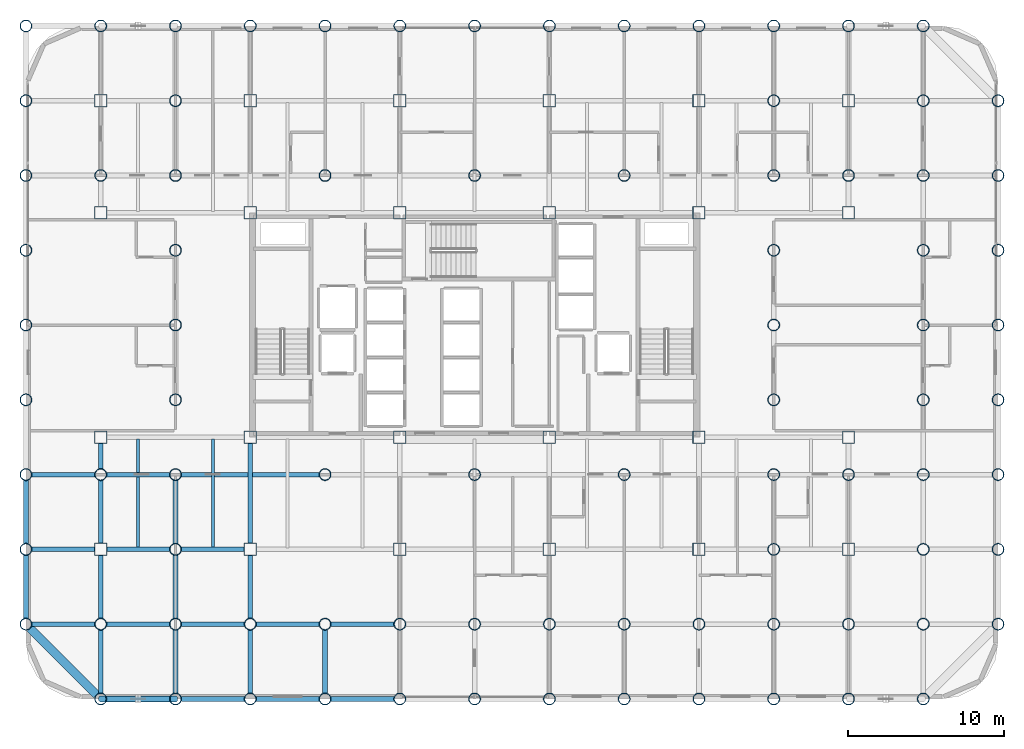
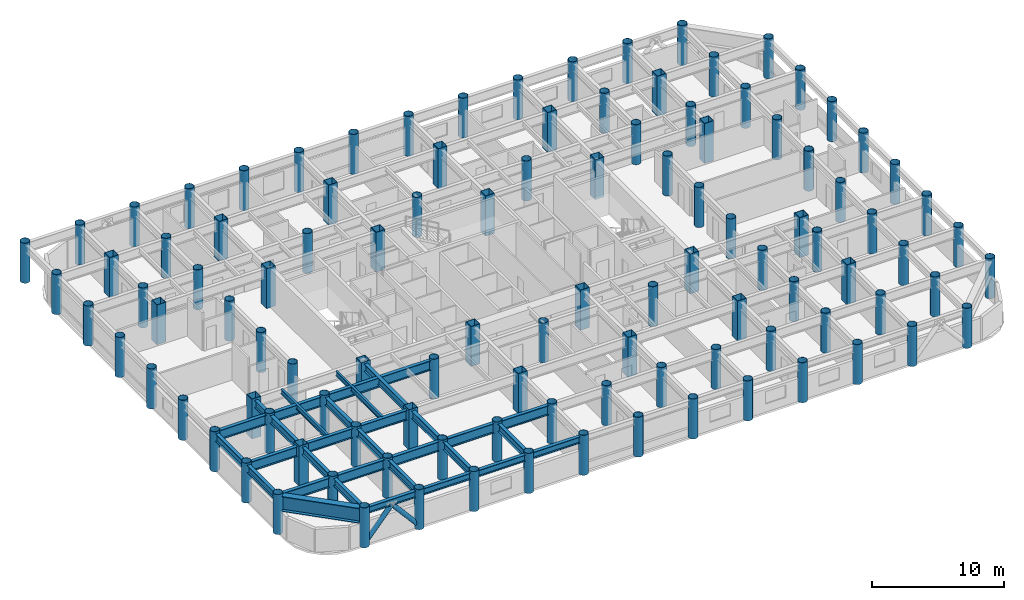
# One storey, part 1 of 20: 108 columns, 31 beams, 2 members.
"""IFC4 building model written with IfcOpenShell, lengths in metres."""

from ifc_helpers import new_model, si_unit, direction, frame, origin, origin_2d, place, context, subcontext, project, spatial, hollow_rectangle, hollow_circle, i_section, extrude, material, material_profile, profile_set, type_object, element, save


model = new_model("IFC4")

# Units and contexts
model_context = context("Model", 3, precision=1e-05, world=origin(), true_north=direction((0.0, 1.0)))
body_context = subcontext(model_context, "Body", "Model", "MODEL_VIEW")
ifc_project = project(units=[si_unit("LENGTHUNIT", "METRE"), si_unit("AREAUNIT", "SQUARE_METRE"), si_unit("VOLUMEUNIT", "CUBIC_METRE"), si_unit("PLANEANGLEUNIT", "RADIAN"), si_unit("MASSUNIT", "GRAM", prefix="KILO")], contexts=[model_context])

# Site, building, storey
site_placement = place(None, origin())
site = spatial("IfcSite", under=ifc_project, at=site_placement, CompositionType="ELEMENT")
building_placement = place(site_placement, origin())
building = spatial("IfcBuilding", under=site, at=building_placement, Name="Kallvorn Hotel Tower", CompositionType="ELEMENT")
storey_placement = place(building_placement, frame((0.0, 0.0, 74.39990234375)))
storey = spatial("IfcBuildingStorey", under=building, at=storey_placement, Name="L17", CompositionType="ELEMENT", Elevation=74.39990234375)

# Columns
ifc_material_1 = material(Name="Structural steel S355J2H", Category="steel")
ifc_material_profile_1 = material_profile(ifc_material_1, hollow_circle(Radius=0.381103515625, WallThickness=0.031982421875, at=origin_2d()), Name="CHS 762x32")
ifc_profile_set_1 = profile_set([ifc_material_profile_1], Name="Structural steel S355J2H")
column_type_1 = type_object("IfcColumnType", Name="COL_CHS_762", PredefinedType="COLUMN", material=ifc_profile_set_1)
for number, where, z_axis, x_axis, name in (
    (1, (-28.800048828125, -19.199951171875, 0.0), (0.0, 0.0, 1.0), (1.0, 0.0, 0.0), "L17 Exoskeleton Column EC01"),
    (2, (-28.800048828125, -14.39990234375, 0.0), (0.0, 0.0, 1.0), (1.0, 0.0, 0.0), "L17 Exoskeleton Column EC02"),
    (3, (-28.800048828125, -9.60009765625, 0.0), (0.0, 0.0, 1.0), (1.0, 0.0, 0.0), "L17 Exoskeleton Column EC03"),
    (4, (-28.800048828125, -4.800048828125, 0.0), (0.0, 0.0, 1.0), (1.0, 0.0, 0.0), "L17 Exoskeleton Column EC04"),
    (5, (-28.800048828125, 0.0, 0.0), (0.0, 0.0, 1.0), (1.0, 0.0, 0.0), "L17 Exoskeleton Column EC05"),
    (6, (-28.800048828125, 4.800048828125, 0.0), (0.0, 0.0, 1.0), (1.0, 0.0, 0.0), "L17 Exoskeleton Column EC06"),
    (7, (-28.800048828125, 9.60009765625, 0.0), (0.0, 0.0, 1.0), (1.0, 0.0, 0.0), "L17 Exoskeleton Column EC07"),
    (8, (-28.800048828125, 14.39990234375, 0.0), (0.0, 0.0, 1.0), (1.0, 0.0, 0.0), "L17 Exoskeleton Column EC08"),
    (9, (-28.800048828125, 19.199951171875, 0.0), (0.0, 0.0, 1.0), (1.0, 0.0, 0.0), "L17 Exoskeleton Column EC09"),
    (10, (-24.0, -24.0, 0.0), (0.0, 0.0, 1.0), (1.0, 0.0, 0.0), "L17 Exoskeleton Column EC10"),
    (11, (-24.0, -19.199951171875, 0.0), (0.0, 0.0, 1.0), (1.0, 0.0, 0.0), "L17 Exoskeleton Column EC11"),
    (12, (-24.0, -9.60009765625, 0.0), (0.0, 0.0, 1.0), (1.0, 0.0, 0.0), "L17 Exoskeleton Column EC12"),
    (13, (-24.0, 9.60009765625, 0.0), (0.0, 0.0, 1.0), (1.0, 0.0, 0.0), "L17 Exoskeleton Column EC13"),
    (14, (-24.0, 19.199951171875, 0.0), (0.0, 0.0, 1.0), (1.0, 0.0, 0.0), "L17 Exoskeleton Column EC14"),
    (15, (-19.199951171875, -24.0, 0.0), (0.0, 0.0, 1.0), (1.0, 0.0, 0.0), "L17 Exoskeleton Column EC15"),
    (16, (-19.199951171875, -19.199951171875, 0.0), (0.0, 0.0, 1.0), (1.0, 0.0, 0.0), "L17 Exoskeleton Column EC16"),
    (17, (-19.199951171875, -14.39990234375, 0.0), (0.0, 0.0, 1.0), (1.0, 0.0, 0.0), "L17 Exoskeleton Column EC17"),
    (18, (-19.199951171875, -9.60009765625, 0.0), (0.0, 0.0, 1.0), (1.0, 0.0, 0.0), "L17 Exoskeleton Column EC18"),
    (19, (-19.199951171875, -4.800048828125, 0.0), (0.0, 0.0, 1.0), (1.0, 0.0, 0.0), "L17 Exoskeleton Column EC19"),
    (20, (-19.199951171875, 0.0, 0.0), (0.0, 0.0, 1.0), (1.0, 0.0, 0.0), "L17 Exoskeleton Column EC20"),
    (21, (-19.199951171875, 4.800048828125, 0.0), (0.0, 0.0, 1.0), (1.0, 0.0, 0.0), "L17 Exoskeleton Column EC21"),
    (22, (-19.199951171875, 9.60009765625, 0.0), (0.0, 0.0, 1.0), (1.0, 0.0, 0.0), "L17 Exoskeleton Column EC22"),
    (23, (-19.199951171875, 14.39990234375, 0.0), (0.0, 0.0, 1.0), (1.0, 0.0, 0.0), "L17 Exoskeleton Column EC23"),
    (24, (-19.199951171875, 19.199951171875, 0.0), (0.0, 0.0, 1.0), (1.0, 0.0, 0.0), "L17 Exoskeleton Column EC24"),
    (25, (-14.39990234375, -24.0, 0.0), (0.0, 0.0, 1.0), (1.0, 0.0, 0.0), "L17 Exoskeleton Column EC25"),
    (26, (-14.39990234375, -19.199951171875, 0.0), (0.0, 0.0, 1.0), (1.0, 0.0, 0.0), "L17 Exoskeleton Column EC26"),
    (27, (-14.39990234375, 19.199951171875, 0.0), (0.0, 0.0, 1.0), (1.0, 0.0, 0.0), "L17 Exoskeleton Column EC27"),
    (28, (-9.60009765625, -24.0, 0.0), (0.0, 0.0, 1.0), (1.0, 0.0, 0.0), "L17 Exoskeleton Column EC28"),
    (29, (-9.60009765625, -19.199951171875, 0.0), (0.0, 0.0, 1.0), (1.0, 0.0, 0.0), "L17 Exoskeleton Column EC29"),
    (30, (-9.60009765625, -9.60009765625, 0.0), (0.0, 0.0, 1.0), (1.0, 0.0, 0.0), "L17 Exoskeleton Column EC30"),
    (31, (-9.60009765625, 9.60009765625, 0.0), (0.0, 0.0, 1.0), (1.0, 0.0, 0.0), "L17 Exoskeleton Column EC31"),
    (32, (-9.60009765625, 19.199951171875, 0.0), (0.0, 0.0, 1.0), (1.0, 0.0, 0.0), "L17 Exoskeleton Column EC32"),
    (33, (-4.800048828125, -24.0, 0.0), (0.0, 0.0, 1.0), (1.0, 0.0, 0.0), "L17 Exoskeleton Column EC33"),
    (34, (-4.800048828125, -19.199951171875, 0.0), (0.0, 0.0, 1.0), (1.0, 0.0, 0.0), "L17 Exoskeleton Column EC34"),
    (35, (-4.800048828125, 19.199951171875, 0.0), (0.0, 0.0, 1.0), (1.0, 0.0, 0.0), "L17 Exoskeleton Column EC35"),
    (36, (0.0, -24.0, 0.0), (0.0, 0.0, 1.0), (1.0, 0.0, 0.0), "L17 Exoskeleton Column EC36"),
    (37, (0.0, -19.199951171875, 0.0), (0.0, 0.0, 1.0), (1.0, 0.0, 0.0), "L17 Exoskeleton Column EC37"),
    (38, (0.0, -9.60009765625, 0.0), (0.0, 0.0, 1.0), (1.0, 0.0, 0.0), "L17 Exoskeleton Column EC38"),
    (39, (0.0, 9.60009765625, 0.0), (0.0, 0.0, 1.0), (1.0, 0.0, 0.0), "L17 Exoskeleton Column EC39"),
    (40, (0.0, 19.199951171875, 0.0), (0.0, 0.0, 1.0), (1.0, 0.0, 0.0), "L17 Exoskeleton Column EC40"),
    (41, (4.800048828125, -24.0, 0.0), (0.0, 0.0, 1.0), (1.0, 0.0, 0.0), "L17 Exoskeleton Column EC41"),
    (42, (4.800048828125, -19.199951171875, 0.0), (0.0, 0.0, 1.0), (1.0, 0.0, 0.0), "L17 Exoskeleton Column EC42"),
    (43, (4.800048828125, 19.199951171875, 0.0), (0.0, 0.0, 1.0), (1.0, 0.0, 0.0), "L17 Exoskeleton Column EC43"),
    (44, (9.60009765625, -24.0, 0.0), (0.0, 0.0, 1.0), (1.0, 0.0, 0.0), "L17 Exoskeleton Column EC44"),
    (45, (9.60009765625, -19.199951171875, 0.0), (0.0, 0.0, 1.0), (1.0, 0.0, 0.0), "L17 Exoskeleton Column EC45"),
    (46, (9.60009765625, -9.60009765625, 0.0), (0.0, 0.0, 1.0), (1.0, 0.0, 0.0), "L17 Exoskeleton Column EC46"),
    (47, (9.60009765625, 9.60009765625, 0.0), (0.0, 0.0, 1.0), (1.0, 0.0, 0.0), "L17 Exoskeleton Column EC47"),
    (48, (9.60009765625, 19.199951171875, 0.0), (0.0, 0.0, 1.0), (1.0, 0.0, 0.0), "L17 Exoskeleton Column EC48"),
    (49, (14.39990234375, -24.0, 0.0), (0.0, 0.0, 1.0), (1.0, 0.0, 0.0), "L17 Exoskeleton Column EC49"),
    (50, (14.39990234375, -19.199951171875, 0.0), (0.0, 0.0, 1.0), (1.0, 0.0, 0.0), "L17 Exoskeleton Column EC50"),
    (51, (14.39990234375, 19.199951171875, 0.0), (0.0, 0.0, 1.0), (1.0, 0.0, 0.0), "L17 Exoskeleton Column EC51"),
    (52, (19.199951171875, -24.0, 0.0), (0.0, 0.0, 1.0), (1.0, 0.0, 0.0), "L17 Exoskeleton Column EC52"),
    (53, (19.199951171875, -19.199951171875, 0.0), (0.0, 0.0, 1.0), (1.0, 0.0, 0.0), "L17 Exoskeleton Column EC53"),
    (54, (19.199951171875, -14.39990234375, 0.0), (0.0, 0.0, 1.0), (1.0, 0.0, 0.0), "L17 Exoskeleton Column EC54"),
    (55, (19.199951171875, -9.60009765625, 0.0), (0.0, 0.0, 1.0), (1.0, 0.0, 0.0), "L17 Exoskeleton Column EC55"),
    (56, (19.199951171875, -4.800048828125, 0.0), (0.0, 0.0, 1.0), (1.0, 0.0, 0.0), "L17 Exoskeleton Column EC56"),
    (57, (19.199951171875, 0.0, 0.0), (0.0, 0.0, 1.0), (1.0, 0.0, 0.0), "L17 Exoskeleton Column EC57"),
    (58, (19.199951171875, 4.800048828125, 0.0), (0.0, 0.0, 1.0), (1.0, 0.0, 0.0), "L17 Exoskeleton Column EC58"),
    (59, (19.199951171875, 9.60009765625, 0.0), (0.0, 0.0, 1.0), (1.0, 0.0, 0.0), "L17 Exoskeleton Column EC59"),
    (60, (19.199951171875, 14.39990234375, 0.0), (0.0, 0.0, 1.0), (1.0, 0.0, 0.0), "L17 Exoskeleton Column EC60"),
    (61, (19.199951171875, 19.199951171875, 0.0), (0.0, 0.0, 1.0), (1.0, 0.0, 0.0), "L17 Exoskeleton Column EC61"),
    (62, (24.0, -24.0, 0.0), (0.0, 0.0, 1.0), (1.0, 0.0, 0.0), "L17 Exoskeleton Column EC62"),
    (63, (24.0, -19.199951171875, 0.0), (0.0, 0.0, 1.0), (1.0, 0.0, 0.0), "L17 Exoskeleton Column EC63"),
    (64, (24.0, -9.60009765625, 0.0), (0.0, 0.0, 1.0), (1.0, 0.0, 0.0), "L17 Exoskeleton Column EC64"),
    (65, (24.0, 9.60009765625, 0.0), (0.0, 0.0, 1.0), (1.0, 0.0, 0.0), "L17 Exoskeleton Column EC65"),
    (66, (24.0, 19.199951171875, 0.0), (0.0, 0.0, 1.0), (1.0, 0.0, 0.0), "L17 Exoskeleton Column EC66"),
    (67, (28.800048828125, -24.0, 0.0), (0.0, 0.0, 1.0), (1.0, 0.0, 0.0), "L17 Exoskeleton Column EC67"),
    (68, (28.800048828125, -19.199951171875, 0.0), (0.0, 0.0, 1.0), (1.0, 0.0, 0.0), "L17 Exoskeleton Column EC68"),
    (69, (28.800048828125, -14.39990234375, 0.0), (0.0, 0.0, 1.0), (1.0, 0.0, 0.0), "L17 Exoskeleton Column EC69"),
    (70, (28.800048828125, -9.60009765625, 0.0), (0.0, 0.0, 1.0), (1.0, 0.0, 0.0), "L17 Exoskeleton Column EC70"),
    (71, (28.800048828125, -4.800048828125, 0.0), (0.0, 0.0, 1.0), (1.0, 0.0, 0.0), "L17 Exoskeleton Column EC71"),
    (72, (28.800048828125, 0.0, 0.0), (0.0, 0.0, 1.0), (1.0, 0.0, 0.0), "L17 Exoskeleton Column EC72"),
    (73, (28.800048828125, 4.800048828125, 0.0), (0.0, 0.0, 1.0), (1.0, 0.0, 0.0), "L17 Exoskeleton Column EC73"),
    (74, (28.800048828125, 9.60009765625, 0.0), (0.0, 0.0, 1.0), (1.0, 0.0, 0.0), "L17 Exoskeleton Column EC74"),
    (75, (28.800048828125, 14.39990234375, 0.0), (0.0, 0.0, 1.0), (1.0, 0.0, 0.0), "L17 Exoskeleton Column EC75"),
    (76, (28.800048828125, 19.199951171875, 0.0), (0.0, 0.0, 1.0), (1.0, 0.0, 0.0), "L17 Exoskeleton Column EC76"),
    (77, (33.60009765625, -19.199951171875, 0.0), (0.0, 0.0, 1.0), (1.0, 0.0, 0.0), "L17 Exoskeleton Column EC77"),
    (78, (33.60009765625, -14.39990234375, 0.0), (0.0, 0.0, 1.0), (1.0, 0.0, 0.0), "L17 Exoskeleton Column EC78"),
    (79, (33.60009765625, -9.60009765625, 0.0), (0.0, 0.0, 1.0), (1.0, 0.0, 0.0), "L17 Exoskeleton Column EC79"),
    (80, (33.60009765625, -4.800048828125, 0.0), (0.0, 0.0, 1.0), (1.0, 0.0, 0.0), "L17 Exoskeleton Column EC80"),
    (81, (33.60009765625, 0.0, 0.0), (0.0, 0.0, 1.0), (1.0, 0.0, 0.0), "L17 Exoskeleton Column EC81"),
    (82, (33.60009765625, 4.800048828125, 0.0), (0.0, 0.0, 1.0), (1.0, 0.0, 0.0), "L17 Exoskeleton Column EC82"),
    (83, (33.60009765625, 9.60009765625, 0.0), (0.0, 0.0, 1.0), (1.0, 0.0, 0.0), "L17 Exoskeleton Column EC83"),
    (84, (33.60009765625, 14.39990234375, 0.0), (0.0, 0.0, 1.0), (1.0, 0.0, 0.0), "L17 Exoskeleton Column EC84"),
):
    element("IfcColumn", number, at=place(storey_placement, frame(where, z_axis=z_axis, x_axis=x_axis)), inside=storey, type_object=column_type_1, Name=name, PredefinedType="COLUMN", context=body_context, shape_type="SweptSolid", body=[
        extrude(hollow_circle(Radius=0.381103515625, WallThickness=0.031982421875, at=origin_2d()), origin(), (0.0, 0.0, 1.0), 3.7001953125),
    ])
ifc_material_2 = material(Name="Structural steel S355J2H", Category="steel")
ifc_material_profile_2 = material_profile(ifc_material_2, hollow_rectangle(XDim=0.800048828125, YDim=0.800048828125, WallThickness=0.035888671875, at=origin_2d()), Name="RHS 800x800x36")
ifc_profile_set_2 = profile_set([ifc_material_profile_2], Name="Structural steel S355J2H")
column_type_2 = type_object("IfcColumnType", Name="COL_RHS_800", PredefinedType="COLUMN", material=ifc_profile_set_2)
for number, where, z_axis, x_axis, name in (
    (85, (-24.0, -14.39990234375, 0.0), (0.0, 0.0, 1.0), (1.0, 0.0, 0.0), "L17 Inner Column IC01"),
    (86, (-24.0, -7.199951171875, 0.0), (0.0, 0.0, 1.0), (1.0, 0.0, 0.0), "L17 Inner Column IC02"),
    (87, (-24.0, 7.199951171875, 0.0), (0.0, 0.0, 1.0), (1.0, 0.0, 0.0), "L17 Inner Column IC03"),
    (88, (-24.0, 14.39990234375, 0.0), (0.0, 0.0, 1.0), (1.0, 0.0, 0.0), "L17 Inner Column IC04"),
    (89, (-14.39990234375, -14.39990234375, 0.0), (0.0, 0.0, 1.0), (1.0, 0.0, 0.0), "L17 Inner Column IC05"),
    (90, (-14.39990234375, -7.199951171875, 0.0), (0.0, 0.0, 1.0), (1.0, 0.0, 0.0), "L17 Inner Column IC06"),
    (91, (-14.39990234375, 7.199951171875, 0.0), (0.0, 0.0, 1.0), (1.0, 0.0, 0.0), "L17 Inner Column IC07"),
    (92, (-14.39990234375, 14.39990234375, 0.0), (0.0, 0.0, 1.0), (1.0, 0.0, 0.0), "L17 Inner Column IC08"),
    (93, (-4.800048828125, -14.39990234375, 0.0), (0.0, 0.0, 1.0), (1.0, 0.0, 0.0), "L17 Inner Column IC09"),
    (94, (-4.800048828125, -7.199951171875, 0.0), (0.0, 0.0, 1.0), (1.0, 0.0, 0.0), "L17 Inner Column IC10"),
    (95, (-4.800048828125, 7.199951171875, 0.0), (0.0, 0.0, 1.0), (1.0, 0.0, 0.0), "L17 Inner Column IC11"),
    (96, (-4.800048828125, 14.39990234375, 0.0), (0.0, 0.0, 1.0), (1.0, 0.0, 0.0), "L17 Inner Column IC12"),
    (97, (4.800048828125, -14.39990234375, 0.0), (0.0, 0.0, 1.0), (1.0, 0.0, 0.0), "L17 Inner Column IC13"),
    (98, (4.800048828125, -7.199951171875, 0.0), (0.0, 0.0, 1.0), (1.0, 0.0, 0.0), "L17 Inner Column IC14"),
    (99, (4.800048828125, 7.199951171875, 0.0), (0.0, 0.0, 1.0), (1.0, 0.0, 0.0), "L17 Inner Column IC15"),
    (100, (4.800048828125, 14.39990234375, 0.0), (0.0, 0.0, 1.0), (1.0, 0.0, 0.0), "L17 Inner Column IC16"),
    (101, (14.39990234375, -14.39990234375, 0.0), (0.0, 0.0, 1.0), (1.0, 0.0, 0.0), "L17 Inner Column IC17"),
    (102, (14.39990234375, -7.199951171875, 0.0), (0.0, 0.0, 1.0), (1.0, 0.0, 0.0), "L17 Inner Column IC18"),
    (103, (14.39990234375, 7.199951171875, 0.0), (0.0, 0.0, 1.0), (1.0, 0.0, 0.0), "L17 Inner Column IC19"),
    (104, (14.39990234375, 14.39990234375, 0.0), (0.0, 0.0, 1.0), (1.0, 0.0, 0.0), "L17 Inner Column IC20"),
    (105, (24.0, -14.39990234375, 0.0), (0.0, 0.0, 1.0), (1.0, 0.0, 0.0), "L17 Inner Column IC21"),
    (106, (24.0, -7.199951171875, 0.0), (0.0, 0.0, 1.0), (1.0, 0.0, 0.0), "L17 Inner Column IC22"),
    (107, (24.0, 7.199951171875, 0.0), (0.0, 0.0, 1.0), (1.0, 0.0, 0.0), "L17 Inner Column IC23"),
    (108, (24.0, 14.39990234375, 0.0), (0.0, 0.0, 1.0), (1.0, 0.0, 0.0), "L17 Inner Column IC24"),
):
    element("IfcColumn", number, at=place(storey_placement, frame(where, z_axis=z_axis, x_axis=x_axis)), inside=storey, type_object=column_type_2, Name=name, PredefinedType="COLUMN", context=body_context, shape_type="SweptSolid", body=[
        extrude(hollow_rectangle(XDim=0.800048828125, YDim=0.800048828125, WallThickness=0.035888671875, at=origin_2d()), origin(), (0.0, 0.0, 1.0), 3.7001953125),
    ])

# Beams
ifc_material_3 = material(Name="Structural steel S355JR", Category="steel")
ifc_material_profile_3 = material_profile(ifc_material_3, i_section(OverallWidth=0.300048828125, OverallDepth=0.60009765625, WebThickness=0.015380859375, FlangeThickness=0.030029296875, at=origin_2d()), Name="HE 600 B")
ifc_profile_set_3 = profile_set([ifc_material_profile_3], Name="Structural steel S355JR")
beam_type_1 = type_object("IfcBeamType", Name="BM_HE600B", PredefinedType="SPANDREL", material=ifc_profile_set_3)
beam_1_placement = place(storey_placement, frame((-23.62890625, -24.0, 3.22021484375), z_axis=(1.0, 0.0, 0.0), x_axis=(0.0, 1.0, 0.0)))
element("IfcBeam", 109, at=beam_1_placement, inside=storey, type_object=beam_type_1, Name="L18 Perimeter Spandrel 151", PredefinedType="SPANDREL", context=body_context, shape_type="SweptSolid", body=[
    extrude(i_section(OverallWidth=0.300048828125, OverallDepth=0.60009765625, WebThickness=0.015380859375, FlangeThickness=0.030029296875, at=origin_2d()), origin(), (0.0, 0.0, 1.0), 4.057861328125),
])
for number, where, z_axis, x_axis, name in (
    (110, (-18.8291015625, -24.0, 3.22021484375), (1.0, 0.0, 0.0), (0.0, 1.0, 0.0), "L18 Perimeter Spandrel 152"),
    (111, (-14.029052734375, -24.0, 3.22021484375), (1.0, 0.0, 0.0), (0.0, 1.0, 0.0), "L18 Perimeter Spandrel 153"),
    (112, (-9.22900390625, -24.0, 3.22021484375), (1.0, 0.0, 0.0), (0.0, 1.0, 0.0), "L18 Perimeter Spandrel 154"),
):
    element("IfcBeam", number, at=place(storey_placement, frame(where, z_axis=z_axis, x_axis=x_axis)), inside=storey, type_object=beam_type_1, Name=name, PredefinedType="SPANDREL", context=body_context, shape_type="SweptSolid", body=[
        extrude(i_section(OverallWidth=0.300048828125, OverallDepth=0.60009765625, WebThickness=0.015380859375, FlangeThickness=0.030029296875, at=origin_2d()), origin(), (0.0, 0.0, 1.0), 4.05810546875),
    ])
ifc_material_4 = material(Name="Structural steel S355JR", Category="steel")
ifc_material_profile_4 = material_profile(ifc_material_4, i_section(OverallWidth=0.300048828125, OverallDepth=0.699951171875, WebThickness=0.01708984375, FlangeThickness=0.031982421875, at=origin_2d()), Name="HE 700 B")
ifc_profile_set_4 = profile_set([ifc_material_profile_4], Name="Structural steel S355JR")
beam_type_2 = type_object("IfcBeamType", Name="BM_HE700B", PredefinedType="BEAM", material=ifc_profile_set_4)
for number, where, z_axis, x_axis, name in (
    (113, (-28.800048828125, -18.843994140625, 3.170166015625), (0.0, 1.0, 0.0), (-1.0, 0.0, 0.0), "L18 Primary Y-Girder 73"),
    (114, (-28.800048828125, -14.0439453125, 3.170166015625), (0.0, 1.0, 0.0), (-1.0, 0.0, 0.0), "L18 Primary Y-Girder 74"),
):
    element("IfcBeam", number, at=place(storey_placement, frame(where, z_axis=z_axis, x_axis=x_axis)), inside=storey, type_object=beam_type_2, Name=name, PredefinedType="BEAM", context=body_context, shape_type="SweptSolid", body=[
        extrude(i_section(OverallWidth=0.300048828125, OverallDepth=0.699951171875, WebThickness=0.01708984375, FlangeThickness=0.031982421875, at=origin_2d()), origin(), (0.0, 0.0, 1.0), 4.087890625),
    ])
beam_2_placement = place(storey_placement, frame((-24.0, -23.64404296875, 3.170166015625), z_axis=(0.0, 1.0, 0.0), x_axis=(-1.0, 0.0, 0.0)))
element("IfcBeam", 115, at=beam_2_placement, inside=storey, type_object=beam_type_2, Name="L18 Primary Y-Girder 81", PredefinedType="BEAM", context=body_context, shape_type="SweptSolid", body=[
    extrude(i_section(OverallWidth=0.300048828125, OverallDepth=0.699951171875, WebThickness=0.01708984375, FlangeThickness=0.031982421875, at=origin_2d()), origin(), (0.0, 0.0, 1.0), 4.088134765625),
])
beam_3_placement = place(storey_placement, frame((-24.0, -18.843994140625, 3.170166015625), z_axis=(0.0, 1.0, 0.0), x_axis=(-1.0, 0.0, 0.0)))
element("IfcBeam", 116, at=beam_3_placement, inside=storey, type_object=beam_type_2, Name="L18 Primary Y-Girder 82", PredefinedType="BEAM", context=body_context, shape_type="SweptSolid", body=[
    extrude(i_section(OverallWidth=0.300048828125, OverallDepth=0.699951171875, WebThickness=0.01708984375, FlangeThickness=0.031982421875, at=origin_2d()), origin(), (0.0, 0.0, 1.0), 4.069091796875),
])
beam_4_placement = place(storey_placement, frame((-24.0, -14.02490234375, 3.170166015625), z_axis=(0.0, 1.0, 0.0), x_axis=(-1.0, 0.0, 0.0)))
element("IfcBeam", 117, at=beam_4_placement, inside=storey, type_object=beam_type_2, Name="L18 Primary Y-Girder 83", PredefinedType="BEAM", context=body_context, shape_type="SweptSolid", body=[
    extrude(i_section(OverallWidth=0.300048828125, OverallDepth=0.699951171875, WebThickness=0.01708984375, FlangeThickness=0.031982421875, at=origin_2d()), origin(), (0.0, 0.0, 1.0), 4.06884765625),
])
beam_5_placement = place(storey_placement, frame((-24.0, -9.243896484375, 3.170166015625), z_axis=(0.0, 1.0, 0.0), x_axis=(-1.0, 0.0, 0.0)))
element("IfcBeam", 118, at=beam_5_placement, inside=storey, type_object=beam_type_2, Name="L18 Primary Y-Girder 84", PredefinedType="BEAM", context=body_context, shape_type="SweptSolid", body=[
    extrude(i_section(OverallWidth=0.300048828125, OverallDepth=0.699951171875, WebThickness=0.01708984375, FlangeThickness=0.031982421875, at=origin_2d()), origin(), (0.0, 0.0, 1.0), 1.6689453125),
])
beam_6_placement = place(storey_placement, frame((-19.199951171875, -23.64404296875, 3.170166015625), z_axis=(0.0, 1.0, 0.0), x_axis=(-1.0, 0.0, 0.0)))
element("IfcBeam", 119, at=beam_6_placement, inside=storey, type_object=beam_type_2, Name="L18 Primary Y-Girder 88", PredefinedType="BEAM", context=body_context, shape_type="SweptSolid", body=[
    extrude(i_section(OverallWidth=0.300048828125, OverallDepth=0.699951171875, WebThickness=0.01708984375, FlangeThickness=0.031982421875, at=origin_2d()), origin(), (0.0, 0.0, 1.0), 4.088134765625),
])
for number, where, z_axis, x_axis, name in (
    (120, (-19.199951171875, -18.843994140625, 3.170166015625), (0.0, 1.0, 0.0), (-1.0, 0.0, 0.0), "L18 Primary Y-Girder 89"),
    (121, (-19.199951171875, -14.0439453125, 3.170166015625), (0.0, 1.0, 0.0), (-1.0, 0.0, 0.0), "L18 Primary Y-Girder 90"),
):
    element("IfcBeam", number, at=place(storey_placement, frame(where, z_axis=z_axis, x_axis=x_axis)), inside=storey, type_object=beam_type_2, Name=name, PredefinedType="BEAM", context=body_context, shape_type="SweptSolid", body=[
        extrude(i_section(OverallWidth=0.300048828125, OverallDepth=0.699951171875, WebThickness=0.01708984375, FlangeThickness=0.031982421875, at=origin_2d()), origin(), (0.0, 0.0, 1.0), 4.087890625),
    ])
beam_7_placement = place(storey_placement, frame((-14.39990234375, -23.64404296875, 3.170166015625), z_axis=(0.0, 1.0, 0.0), x_axis=(-1.0, 0.0, 0.0)))
element("IfcBeam", 122, at=beam_7_placement, inside=storey, type_object=beam_type_2, Name="L18 Primary Y-Girder 97", PredefinedType="BEAM", context=body_context, shape_type="SweptSolid", body=[
    extrude(i_section(OverallWidth=0.300048828125, OverallDepth=0.699951171875, WebThickness=0.01708984375, FlangeThickness=0.031982421875, at=origin_2d()), origin(), (0.0, 0.0, 1.0), 4.088134765625),
])
beam_8_placement = place(storey_placement, frame((-14.39990234375, -18.843994140625, 3.170166015625), z_axis=(0.0, 1.0, 0.0), x_axis=(-1.0, 0.0, 0.0)))
element("IfcBeam", 123, at=beam_8_placement, inside=storey, type_object=beam_type_2, Name="L18 Primary Y-Girder 98", PredefinedType="BEAM", context=body_context, shape_type="SweptSolid", body=[
    extrude(i_section(OverallWidth=0.300048828125, OverallDepth=0.699951171875, WebThickness=0.01708984375, FlangeThickness=0.031982421875, at=origin_2d()), origin(), (0.0, 0.0, 1.0), 4.069091796875),
])
beam_9_placement = place(storey_placement, frame((-14.39990234375, -14.02490234375, 3.170166015625), z_axis=(0.0, 1.0, 0.0), x_axis=(-1.0, 0.0, 0.0)))
element("IfcBeam", 124, at=beam_9_placement, inside=storey, type_object=beam_type_2, Name="L18 Primary Y-Girder 99", PredefinedType="BEAM", context=body_context, shape_type="SweptSolid", body=[
    extrude(i_section(OverallWidth=0.300048828125, OverallDepth=0.699951171875, WebThickness=0.01708984375, FlangeThickness=0.031982421875, at=origin_2d()), origin(), (0.0, 0.0, 1.0), 6.449951171875),
])
beam_10_placement = place(storey_placement, frame((-9.60009765625, -23.64404296875, 3.170166015625), z_axis=(0.0, 1.0, 0.0), x_axis=(-1.0, 0.0, 0.0)))
element("IfcBeam", 125, at=beam_10_placement, inside=storey, type_object=beam_type_2, Name="L18 Primary Y-Girder 102", PredefinedType="BEAM", context=body_context, shape_type="SweptSolid", body=[
    extrude(i_section(OverallWidth=0.300048828125, OverallDepth=0.699951171875, WebThickness=0.01708984375, FlangeThickness=0.031982421875, at=origin_2d()), origin(), (0.0, 0.0, 1.0), 4.088134765625),
])
ifc_material_5 = material(Name="Structural steel S355JR", Category="steel")
ifc_material_profile_5 = material_profile(ifc_material_5, i_section(OverallWidth=0.300048828125, OverallDepth=0.89990234375, WebThickness=0.0185546875, FlangeThickness=0.034912109375, at=origin_2d()), Name="HE 900 B")
ifc_profile_set_5 = profile_set([ifc_material_profile_5], Name="Structural steel S355JR")
beam_type_3 = type_object("IfcBeamType", Name="BM_HE900B", PredefinedType="BEAM", material=ifc_profile_set_5)
for number, where, z_axis, x_axis, name in (
    (126, (-28.444091796875, -19.199951171875, 3.070068359375), (1.0, 0.0, 0.0), (0.0, 1.0, 0.0), "L18 Primary X-Girder 01"),
    (127, (-23.64404296875, -19.199951171875, 3.070068359375), (1.0, 0.0, 0.0), (0.0, 1.0, 0.0), "L18 Primary X-Girder 02"),
):
    element("IfcBeam", number, at=place(storey_placement, frame(where, z_axis=z_axis, x_axis=x_axis)), inside=storey, type_object=beam_type_3, Name=name, PredefinedType="BEAM", context=body_context, shape_type="SweptSolid", body=[
        extrude(i_section(OverallWidth=0.300048828125, OverallDepth=0.89990234375, WebThickness=0.0185546875, FlangeThickness=0.034912109375, at=origin_2d()), origin(), (0.0, 0.0, 1.0), 4.088134765625),
    ])
for number, where, z_axis, x_axis, name in (
    (128, (-18.843994140625, -19.199951171875, 3.070068359375), (1.0, 0.0, 0.0), (0.0, 1.0, 0.0), "L18 Primary X-Girder 03"),
    (129, (-14.0439453125, -19.199951171875, 3.070068359375), (1.0, 0.0, 0.0), (0.0, 1.0, 0.0), "L18 Primary X-Girder 04"),
    (130, (-9.243896484375, -19.199951171875, 3.070068359375), (1.0, 0.0, 0.0), (0.0, 1.0, 0.0), "L18 Primary X-Girder 05"),
):
    element("IfcBeam", number, at=place(storey_placement, frame(where, z_axis=z_axis, x_axis=x_axis)), inside=storey, type_object=beam_type_3, Name=name, PredefinedType="BEAM", context=body_context, shape_type="SweptSolid", body=[
        extrude(i_section(OverallWidth=0.300048828125, OverallDepth=0.89990234375, WebThickness=0.0185546875, FlangeThickness=0.034912109375, at=origin_2d()), origin(), (0.0, 0.0, 1.0), 4.087890625),
    ])
for number, where, z_axis, x_axis, name in (
    (131, (-28.444091796875, -14.39990234375, 3.070068359375), (1.0, 0.0, 0.0), (0.0, 1.0, 0.0), "L18 Primary X-Girder 14"),
    (132, (-23.625, -14.39990234375, 3.070068359375), (1.0, 0.0, 0.0), (0.0, 1.0, 0.0), "L18 Primary X-Girder 15"),
    (133, (-18.843994140625, -14.39990234375, 3.070068359375), (1.0, 0.0, 0.0), (0.0, 1.0, 0.0), "L18 Primary X-Girder 16"),
):
    element("IfcBeam", number, at=place(storey_placement, frame(where, z_axis=z_axis, x_axis=x_axis)), inside=storey, type_object=beam_type_3, Name=name, PredefinedType="BEAM", context=body_context, shape_type="SweptSolid", body=[
        extrude(i_section(OverallWidth=0.300048828125, OverallDepth=0.89990234375, WebThickness=0.0185546875, FlangeThickness=0.034912109375, at=origin_2d()), origin(), (0.0, 0.0, 1.0), 4.069091796875),
    ])
for number, where, z_axis, x_axis, name in (
    (134, (-28.444091796875, -9.60009765625, 3.070068359375), (1.0, 0.0, 0.0), (0.0, 1.0, 0.0), "L18 Primary X-Girder 24"),
    (135, (-23.64404296875, -9.60009765625, 3.070068359375), (1.0, 0.0, 0.0), (0.0, 1.0, 0.0), "L18 Primary X-Girder 25"),
):
    element("IfcBeam", number, at=place(storey_placement, frame(where, z_axis=z_axis, x_axis=x_axis)), inside=storey, type_object=beam_type_3, Name=name, PredefinedType="BEAM", context=body_context, shape_type="SweptSolid", body=[
        extrude(i_section(OverallWidth=0.300048828125, OverallDepth=0.89990234375, WebThickness=0.0185546875, FlangeThickness=0.034912109375, at=origin_2d()), origin(), (0.0, 0.0, 1.0), 4.088134765625),
    ])
beam_11_placement = place(storey_placement, frame((-18.843994140625, -9.60009765625, 3.070068359375), z_axis=(1.0, 0.0, 0.0), x_axis=(0.0, 1.0, 0.0)))
element("IfcBeam", 136, at=beam_11_placement, inside=storey, type_object=beam_type_3, Name="L18 Primary X-Girder 26", PredefinedType="BEAM", context=body_context, shape_type="SweptSolid", body=[
    extrude(i_section(OverallWidth=0.300048828125, OverallDepth=0.89990234375, WebThickness=0.0185546875, FlangeThickness=0.034912109375, at=origin_2d()), origin(), (0.0, 0.0, 1.0), 8.887939453125),
])
ifc_material_6 = material(Name="Structural steel S355JR", Category="steel")
ifc_material_profile_6 = material_profile(ifc_material_6, i_section(OverallWidth=0.18994140625, OverallDepth=0.449951171875, WebThickness=0.009521484375, FlangeThickness=0.0146484375, at=origin_2d()), Name="IPE 450")
ifc_profile_set_6 = profile_set([ifc_material_profile_6], Name="Structural steel S355JR")
beam_type_4 = type_object("IfcBeamType", Name="BM_IPE450", PredefinedType="JOIST", material=ifc_profile_set_6)
for number, where, z_axis, x_axis, name in (
    (137, (-21.60009765625, -14.300048828125, 3.295166015625), (0.0, 1.0, 0.0), (-1.0, 0.0, 0.0), "L18 Secondary Composite Joist 192"),
    (138, (-16.800048828125, -14.300048828125, 3.295166015625), (0.0, 1.0, 0.0), (-1.0, 0.0, 0.0), "L18 Secondary Composite Joist 194"),
):
    element("IfcBeam", number, at=place(storey_placement, frame(where, z_axis=z_axis, x_axis=x_axis)), inside=storey, type_object=beam_type_4, Name=name, PredefinedType="JOIST", context=body_context, shape_type="SweptSolid", body=[
        extrude(i_section(OverallWidth=0.18994140625, OverallDepth=0.449951171875, WebThickness=0.009521484375, FlangeThickness=0.0146484375, at=origin_2d()), origin(), (0.0, 0.0, 1.0), 7.0),
    ])
ifc_material_7 = material(Name="Structural steel S355JR", Category="steel")
ifc_material_profile_7 = material_profile(ifc_material_7, i_section(OverallWidth=0.550048828125, OverallDepth=1.39990234375, WebThickness=0.02490234375, FlangeThickness=0.044921875, at=origin_2d()), Name="PG 1400x550x25x45")
ifc_profile_set_7 = profile_set([ifc_material_profile_7], Name="Structural steel S355JR")
beam_type_5 = type_object("IfcBeamType", Name="BM_PG_1400", PredefinedType="BEAM", material=ifc_profile_set_7)
beam_12_placement = place(storey_placement, frame((-28.53759765625, -19.46240234375, 2.820068359375), z_axis=(0.707106781187, -0.707106781187, 0.0), x_axis=(0.707106781187, 0.707106781187, 0.0)))
element("IfcBeam", 139, at=beam_12_placement, inside=storey, type_object=beam_type_5, Name="L18 Rounded Corner Tie Beam 189", PredefinedType="BEAM", context=body_context, shape_type="SweptSolid", body=[
    extrude(i_section(OverallWidth=0.550048828125, OverallDepth=1.39990234375, WebThickness=0.02490234375, FlangeThickness=0.044921875, at=origin_2d()), origin(), (0.0, 0.0, 1.0), 6.04638671875),
])

# Members
ifc_material_8 = material(Name="Structural steel S355J2H", Category="steel")
ifc_material_profile_8 = material_profile(ifc_material_8, hollow_circle(Radius=0.203125, WallThickness=0.01611328125, at=origin_2d()), Name="CHS 406.4x16")
ifc_profile_set_8 = profile_set([ifc_material_profile_8], Name="Structural steel S355J2H")
member_type = type_object("IfcMemberType", Name="MBR_EXO_CHS406", PredefinedType="BRACE", material=ifc_profile_set_8)
for number, where, z_axis, x_axis, name in (
    (140, (-23.98681640625, -24.0, 0.1953125), (0.65346062529, 0.0, 0.756960508346), (0.0, 1.0, 0.0), "L17 Exoskeleton K-Brace S1A"),
    (141, (-19.213134765625, -24.0, 0.1953125), (-0.65346062529, 0.0, 0.756960508346), (0.0, -1.0, 0.0), "L17 Exoskeleton K-Brace S1B"),
):
    element("IfcMember", number, at=place(storey_placement, frame(where, z_axis=z_axis, x_axis=x_axis)), inside=storey, type_object=member_type, Name=name, PredefinedType="BRACE", context=body_context, shape_type="SweptSolid", body=[
        extrude(hollow_circle(Radius=0.203125, WallThickness=0.01611328125, at=origin_2d()), origin(), (0.0, 0.0, 1.0), 3.632568359375),
    ])

save(model, "model.ifc")
